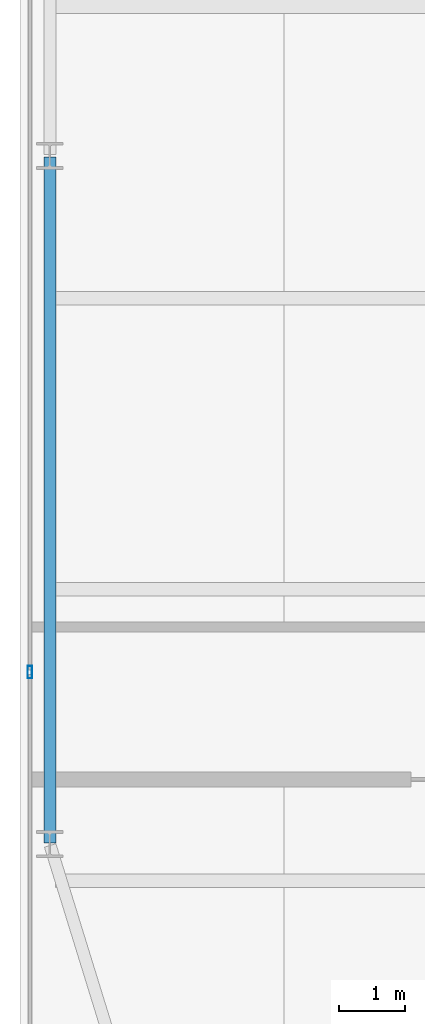
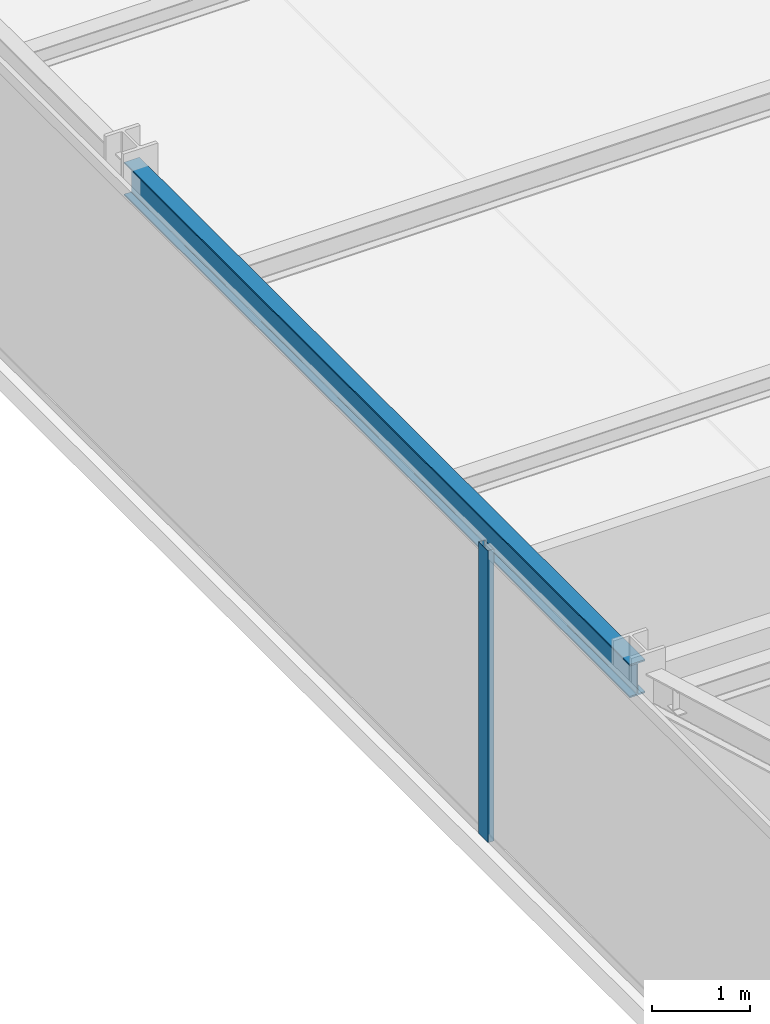
# One storey, part 8 of 29: 1 beam, 1 member, 1 element without a shape of its own.
"""IFC4 building model written with IfcOpenShell, lengths in metres."""

from ifc_helpers import new_model, si_unit, direction, frame, origin, origin_2d, place, context, subcontext, project, spatial, hollow_rectangle, i_section, extrude, source, transform, mapped, material, layer, layer_set, material_profile, profile_set, type_object, type_shapes, element, aggregate, save


model = new_model("IFC4")

# Units and contexts
model_context = context("Model", 3, precision=1e-05, world=origin(), true_north=direction((0.0, 1.0)))
body_context = subcontext(model_context, "Body", "Model", "MODEL_VIEW")
ifc_project = project(units=[si_unit("LENGTHUNIT", "METRE"), si_unit("AREAUNIT", "SQUARE_METRE"), si_unit("VOLUMEUNIT", "CUBIC_METRE"), si_unit("PLANEANGLEUNIT", "RADIAN"), si_unit("MASSUNIT", "GRAM", prefix="KILO")], contexts=[model_context])

# Site, building, storey
site_placement = place(None, origin())
site = spatial("IfcSite", under=ifc_project, at=site_placement, CompositionType="ELEMENT")
building_placement = place(site_placement, origin())
building = spatial("IfcBuilding", under=site, at=building_placement, Name="Varnel Quay Broadcast Tower", CompositionType="ELEMENT")
storey_placement = place(building_placement, frame((0.0, 0.0, 74.39990234375)))
storey = spatial("IfcBuildingStorey", under=building, at=storey_placement, Name="L17", CompositionType="ELEMENT", Elevation=74.39990234375)

# Beam
ifc_material_1 = material(Name="Structural Steel CSA G40.21 350W", Category="steel")
ifc_material_profile_1 = material_profile(ifc_material_1, i_section(OverallWidth=0.180908203125, OverallDepth=0.4169921875, WebThickness=0.010986328125, FlangeThickness=0.018310546875, FilletRadius=0.011962890625, at=origin_2d()), Name="W410X85")
ifc_profile_set_1 = profile_set([ifc_material_profile_1], Name="Structural Steel CSA G40.21 350W")
beam_type = type_object("IfcBeamType", Name="Beam_W410X85", PredefinedType="SPANDREL", material=ifc_profile_set_1)
shared_shape_1 = source(origin(), body_context, "Body", "SweptSolid", [
    extrude(i_section(OverallWidth=0.180908203125, OverallDepth=0.4169921875, WebThickness=0.010986328125, FlangeThickness=0.018310546875, FilletRadius=0.011962890625, at=origin_2d()), origin(), (0.0, 0.0, 1.0), 10.35986328125),
])
type_shapes(beam_type, [shared_shape_1])
beam_placement = place(storey_placement, frame((2.449951171875, 15.02001953125, 3.441650390625), z_axis=(0.0, 1.0, 0.0), x_axis=(-1.0, 0.0, 0.0)))
element("IfcBeam", 1, at=beam_placement, inside=storey, type_object=beam_type, Name="L17 West Spandrel TC-W1-TC-W2", PredefinedType="SPANDREL", context=body_context, shape_type="MappedRepresentation", body=[
    mapped(shared_shape_1, transform((0.0, 0.0, 0.0), x_axis=(1.0, 0.0, 0.0), y_axis=(0.0, 1.0, 0.0), z_axis=(0.0, 0.0, 1.0), scale=1.0)),
])

# Curtain wall, member
ifc_material_2 = material(Name="Anodised Bronze Aluminium 6063-T6", Category="aluminium")
ifc_layer = layer(ifc_material_2, 0.18994140625, Name="Anodised Bronze Aluminium 6063-T6")
ifc_layer_set = layer_set([ifc_layer], Name="Anodised Bronze Aluminium 6063-T6")
curtain_wall_type = type_object("IfcCurtainWallType", Name="CW_LowerTower", PredefinedType="NOTDEFINED", material=ifc_layer_set)
curtain_wall_placement = place(storey_placement, origin())
curtain_wall = element("IfcCurtainWall", 2, at=curtain_wall_placement, inside=storey, type_object=curtain_wall_type, Name="L17 West Unitised Curtain Wall", PredefinedType="NOTDEFINED")
ifc_material_profile_2 = material_profile(ifc_material_2, hollow_rectangle(XDim=0.070068359375, YDim=0.18994140625, WallThickness=0.00390625, at=origin_2d()), Name="ALU70X190X4")
ifc_profile_set_2 = profile_set([ifc_material_profile_2], Name="Anodised Bronze Aluminium 6063-T6")
member_type = type_object("IfcMemberType", Name="Mull_CWS-02", PredefinedType="MULLION", material=ifc_profile_set_2)
shared_shape_2 = source(origin(), body_context, "Body", "SweptSolid", [
    extrude(hollow_rectangle(XDim=0.070068359375, YDim=0.18994140625, WallThickness=0.00390625, at=origin_2d()), origin(), (0.0, 0.0, 1.0), 3.650146484375),
])
type_shapes(member_type, [shared_shape_2])
member_placement = place(storey_placement, frame((2.14990234375, 17.60009765625, 0.0), z_axis=(0.0, 0.0, 1.0), x_axis=(-1.0, 0.0, 0.0)))
member = element("IfcMember", 3, at=member_placement, type_object=member_type, Name="CWS-02 mullion 2", PredefinedType="MULLION", context=body_context, shape_type="MappedRepresentation", body=[
    mapped(shared_shape_2, transform((0.0, 0.0, 0.0), x_axis=(1.0, 0.0, 0.0), y_axis=(0.0, 1.0, 0.0), z_axis=(0.0, 0.0, 1.0), scale=1.0)),
])
aggregate(curtain_wall, [member])

save(model, "model.ifc")
